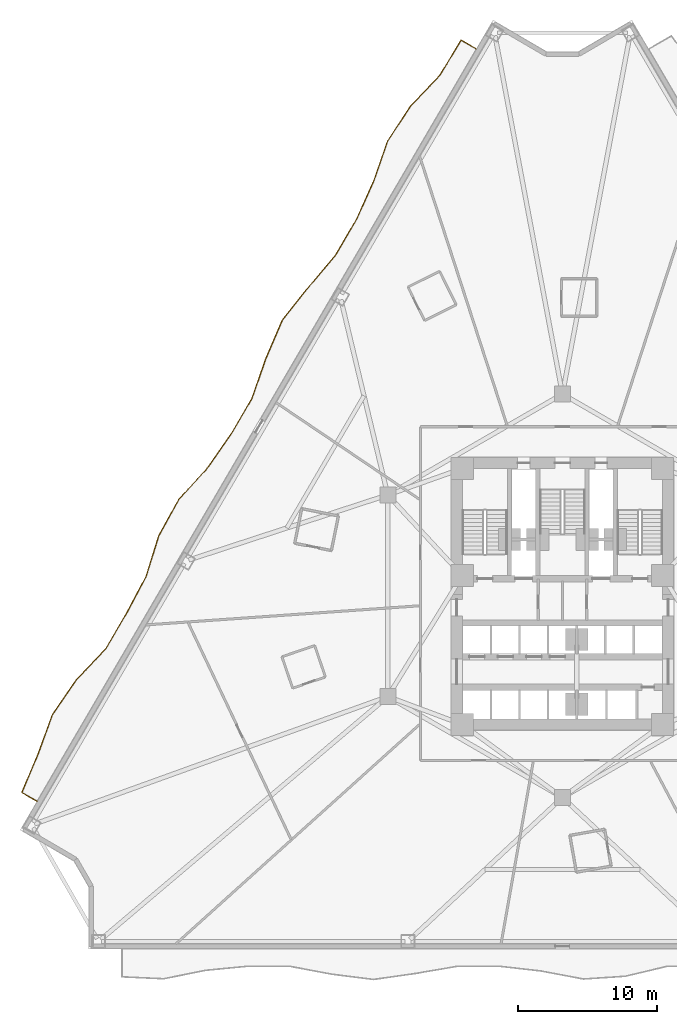
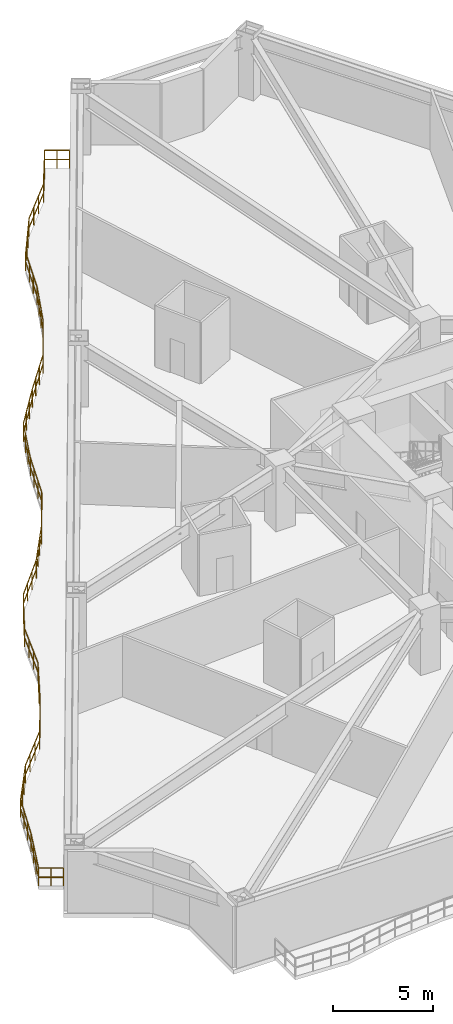
# One storey, part 10 of 12: 1 railing.
"""IFC4 building model written with IfcOpenShell, lengths in metres."""

from ifc_helpers import new_model, si_unit, direction, frame, origin, origin_2d, place, context, subcontext, project, spatial, rectangle, extrude, material, type_object, element, save


model = new_model("IFC4")

# Units and contexts
model_context = context("Model", 3, precision=1e-05, world=origin(), true_north=direction((0.0, 1.0)))
body_context = subcontext(model_context, "Body", "Model", "MODEL_VIEW")
ifc_project = project(units=[si_unit("LENGTHUNIT", "METRE"), si_unit("AREAUNIT", "SQUARE_METRE"), si_unit("VOLUMEUNIT", "CUBIC_METRE"), si_unit("PLANEANGLEUNIT", "RADIAN"), si_unit("MASSUNIT", "GRAM", prefix="KILO")], contexts=[model_context])

# Site, building, storey
site_placement = place(None, origin())
site = spatial("IfcSite", under=ifc_project, at=site_placement, CompositionType="ELEMENT")
building_placement = place(site_placement, origin())
building = spatial("IfcBuilding", under=site, at=building_placement, Name="Apsidion Concourse Tower", CompositionType="ELEMENT")
storey_placement = place(building_placement, frame((0.0, 0.0, 34.39990234375)))
storey = spatial("IfcBuildingStorey", under=building, at=storey_placement, Name="L06", CompositionType="ELEMENT", Elevation=34.39990234375)

# Railing
ifc_material = material(Name="Brushed stainless steel 316", Category="steel")
railing_type = type_object("IfcRailingType", Name="RL-BAL-1120", PredefinedType="BALUSTRADE", material=ifc_material)
railing_placement = place(storey_placement, frame((-37.789306640625, -14.772705078125, 0.0)))
element("IfcRailing", 1, at=railing_placement, inside=storey, type_object=railing_type, Name="L06 Face 1 Rippling Balcony Balustrade", PredefinedType="BALUSTRADE", context=body_context, shape_type="SweptSolid", body=[
    extrude(rectangle(XDim=0.048095703125, YDim=0.048095703125, at=origin_2d()), frame((0.0, 0.0, 1.09619140625), z_axis=(-0.863651366555, 0.504089592283, 0.0), x_axis=(-0.504089592283, -0.863651366555, 0.0)), (0.0, 0.0, 1.0), 1.25),
    extrude(rectangle(XDim=0.048095703125, YDim=0.048095703125, at=origin_2d()), frame((0.0, 0.0, 0.5361328125), z_axis=(-0.863651366555, 0.504089592283, 0.0), x_axis=(-0.504089592283, -0.863651366555, 0.0)), (0.0, 0.0, 1.0), 1.25),
    extrude(rectangle(XDim=0.048095703125, YDim=0.048095703125, at=origin_2d()), frame((-1.07958984375, 0.630126953125, 1.09619140625), z_axis=(0.38892764588, 0.921268303086, 0.0), x_axis=(-0.921268303086, 0.38892764588, 0.0)), (0.0, 0.0, 1.0), 3.008056640625),
    extrude(rectangle(XDim=0.048095703125, YDim=0.048095703125, at=origin_2d()), frame((-1.07958984375, 0.630126953125, 0.5361328125), z_axis=(0.38892764588, 0.921268303086, 0.0), x_axis=(-0.921268303086, 0.38892764588, 0.0)), (0.0, 0.0, 1.0), 3.008056640625),
    extrude(rectangle(XDim=0.048095703125, YDim=0.048095703125, at=origin_2d()), frame((0.09033203125, 3.4013671875, 1.09619140625), z_axis=(0.342202142568, 0.939626358518, 0.0), x_axis=(-0.939626358518, 0.342202142568, 0.0)), (0.0, 0.0, 1.0), 3.031494140625),
    extrude(rectangle(XDim=0.048095703125, YDim=0.048095703125, at=origin_2d()), frame((0.09033203125, 3.4013671875, 0.5361328125), z_axis=(0.342202142568, 0.939626358518, 0.0), x_axis=(-0.939626358518, 0.342202142568, 0.0)), (0.0, 0.0, 1.0), 3.031494140625),
    extrude(rectangle(XDim=0.048095703125, YDim=0.048095703125, at=origin_2d()), frame((1.127685546875, 6.249755859375, 1.09619140625), z_axis=(0.568186769596, 0.822899626234, 0.0), x_axis=(-0.822899626234, 0.568186769596, 0.0)), (0.0, 0.0, 1.0), 2.991455078125),
    extrude(rectangle(XDim=0.048095703125, YDim=0.048095703125, at=origin_2d()), frame((1.127685546875, 6.249755859375, 0.5361328125), z_axis=(0.568186769596, 0.822899626234, 0.0), x_axis=(-0.822899626234, 0.568186769596, 0.0)), (0.0, 0.0, 1.0), 2.991455078125),
    extrude(rectangle(XDim=0.048095703125, YDim=0.048095703125, at=origin_2d()), frame((2.827392578125, 8.71142578125, 1.09619140625), z_axis=(0.688338920447, 0.725389226965, 0.0), x_axis=(-0.725389226965, 0.688338920447, 0.0)), (0.0, 0.0, 1.0), 3.064208984375),
    extrude(rectangle(XDim=0.048095703125, YDim=0.048095703125, at=origin_2d()), frame((2.827392578125, 8.71142578125, 0.5361328125), z_axis=(0.688338920447, 0.725389226965, 0.0), x_axis=(-0.725389226965, 0.688338920447, 0.0)), (0.0, 0.0, 1.0), 3.064208984375),
    extrude(rectangle(XDim=0.048095703125, YDim=0.048095703125, at=origin_2d()), frame((4.9365234375, 10.93408203125, 1.09619140625), z_axis=(0.504252641195, 0.863556178745, 0.0), x_axis=(-0.863556178745, 0.504252641195, 0.0)), (0.0, 0.0, 1.0), 2.98291015625),
    extrude(rectangle(XDim=0.048095703125, YDim=0.048095703125, at=origin_2d()), frame((4.9365234375, 10.93408203125, 0.5361328125), z_axis=(0.504252641195, 0.863556178745, 0.0), x_axis=(-0.863556178745, 0.504252641195, 0.0)), (0.0, 0.0, 1.0), 2.98291015625),
    extrude(rectangle(XDim=0.048095703125, YDim=0.048095703125, at=origin_2d()), frame((6.440673828125, 13.510009765625, 1.09619140625), z_axis=(0.471161194367, 0.882047123981, 0.0), x_axis=(-0.882047123981, 0.471161194367, 0.0)), (0.0, 0.0, 1.0), 2.985107421875),
    extrude(rectangle(XDim=0.048095703125, YDim=0.048095703125, at=origin_2d()), frame((6.440673828125, 13.510009765625, 0.5361328125), z_axis=(0.471161194367, 0.882047123981, 0.0), x_axis=(-0.882047123981, 0.471161194367, 0.0)), (0.0, 0.0, 1.0), 2.985107421875),
    extrude(rectangle(XDim=0.048095703125, YDim=0.048095703125, at=origin_2d()), frame((7.84716796875, 16.14306640625, 1.09619140625), z_axis=(0.297312151822, 0.95478033305, 0.0), x_axis=(-0.95478033305, 0.297312151822, 0.0)), (0.0, 0.0, 1.0), 3.061279296875),
    extrude(rectangle(XDim=0.048095703125, YDim=0.048095703125, at=origin_2d()), frame((7.84716796875, 16.14306640625, 0.5361328125), z_axis=(0.297312151822, 0.95478033305, 0.0), x_axis=(-0.95478033305, 0.297312151822, 0.0)), (0.0, 0.0, 1.0), 3.061279296875),
    extrude(rectangle(XDim=0.048095703125, YDim=0.048095703125, at=origin_2d()), frame((8.75732421875, 19.06591796875, 1.09619140625), z_axis=(0.482116626727, 0.876107047245, 0.0), x_axis=(-0.876107047245, 0.482116626727, 0.0)), (0.0, 0.0, 1.0), 2.983642578125),
    extrude(rectangle(XDim=0.048095703125, YDim=0.048095703125, at=origin_2d()), frame((8.75732421875, 19.06591796875, 0.5361328125), z_axis=(0.482116626727, 0.876107047245, 0.0), x_axis=(-0.876107047245, 0.482116626727, 0.0)), (0.0, 0.0, 1.0), 2.983642578125),
    extrude(rectangle(XDim=0.048095703125, YDim=0.048095703125, at=origin_2d()), frame((10.19580078125, 21.679931640625, 1.09619140625), z_axis=(0.671496065071, 0.741008120465, 0.0), x_axis=(-0.741008120465, 0.671496065071, 0.0)), (0.0, 0.0, 1.0), 3.048583984375),
    extrude(rectangle(XDim=0.048095703125, YDim=0.048095703125, at=origin_2d()), frame((10.19580078125, 21.679931640625, 0.5361328125), z_axis=(0.671496065071, 0.741008120465, 0.0), x_axis=(-0.741008120465, 0.671496065071, 0.0)), (0.0, 0.0, 1.0), 3.048583984375),
    extrude(rectangle(XDim=0.048095703125, YDim=0.048095703125, at=origin_2d()), frame((12.242919921875, 23.93896484375, 1.09619140625), z_axis=(0.573938538627, 0.818898378237, 0.0), x_axis=(-0.818898378237, 0.573938538627, 0.0)), (0.0, 0.0, 1.0), 2.992919921875),
    extrude(rectangle(XDim=0.048095703125, YDim=0.048095703125, at=origin_2d()), frame((12.242919921875, 23.93896484375, 0.5361328125), z_axis=(0.573938538627, 0.818898378237, 0.0), x_axis=(-0.818898378237, 0.573938538627, 0.0)), (0.0, 0.0, 1.0), 2.992919921875),
    extrude(rectangle(XDim=0.048095703125, YDim=0.048095703125, at=origin_2d()), frame((13.960693359375, 26.389892578125, 1.09619140625), z_axis=(0.504217003444, 0.863576987557, 0.0), x_axis=(-0.863576987557, 0.504217003444, 0.0)), (0.0, 0.0, 1.0), 2.983154296875),
    extrude(rectangle(XDim=0.048095703125, YDim=0.048095703125, at=origin_2d()), frame((13.960693359375, 26.389892578125, 0.5361328125), z_axis=(0.504217003444, 0.863576987557, 0.0), x_axis=(-0.863576987557, 0.504217003444, 0.0)), (0.0, 0.0, 1.0), 2.983154296875),
    extrude(rectangle(XDim=0.048095703125, YDim=0.048095703125, at=origin_2d()), frame((15.46484375, 28.966064453125, 1.09619140625), z_axis=(0.328754263959, 0.944415498565, 0.0), x_axis=(-0.944415498565, 0.328754263959, 0.0)), (0.0, 0.0, 1.0), 3.03955078125),
    extrude(rectangle(XDim=0.048095703125, YDim=0.048095703125, at=origin_2d()), frame((15.46484375, 28.966064453125, 0.5361328125), z_axis=(0.328754263959, 0.944415498565, 0.0), x_axis=(-0.944415498565, 0.328754263959, 0.0)), (0.0, 0.0, 1.0), 3.03955078125),
    extrude(rectangle(XDim=0.048095703125, YDim=0.048095703125, at=origin_2d()), frame((16.464111328125, 31.836669921875, 1.09619140625), z_axis=(0.395732481597, 0.918365832884, 0.0), x_axis=(-0.918365832884, 0.395732481597, 0.0)), (0.0, 0.0, 1.0), 3.005126953125),
    extrude(rectangle(XDim=0.048095703125, YDim=0.048095703125, at=origin_2d()), frame((16.464111328125, 31.836669921875, 0.5361328125), z_axis=(0.395732481597, 0.918365832884, 0.0), x_axis=(-0.918365832884, 0.395732481597, 0.0)), (0.0, 0.0, 1.0), 3.005126953125),
    extrude(rectangle(XDim=0.048095703125, YDim=0.048095703125, at=origin_2d()), frame((17.6533203125, 34.596435546875, 1.09619140625), z_axis=(0.621934746753, 0.783069071527, 0.0), x_axis=(-0.783069071527, 0.621934746753, 0.0)), (0.0, 0.0, 1.0), 3.013671875),
    extrude(rectangle(XDim=0.048095703125, YDim=0.048095703125, at=origin_2d()), frame((17.6533203125, 34.596435546875, 0.5361328125), z_axis=(0.621934746753, 0.783069071527, 0.0), x_axis=(-0.783069071527, 0.621934746753, 0.0)), (0.0, 0.0, 1.0), 3.013671875),
    extrude(rectangle(XDim=0.048095703125, YDim=0.048095703125, at=origin_2d()), frame((19.527587890625, 36.956298828125, 1.09619140625), z_axis=(0.645096096312, 0.764101450413, 0.0), x_axis=(-0.764101450413, 0.645096096312, 0.0)), (0.0, 0.0, 1.0), 3.028076171875),
    extrude(rectangle(XDim=0.048095703125, YDim=0.048095703125, at=origin_2d()), frame((19.527587890625, 36.956298828125, 0.5361328125), z_axis=(0.645096096312, 0.764101450413, 0.0), x_axis=(-0.764101450413, 0.645096096312, 0.0)), (0.0, 0.0, 1.0), 3.028076171875),
    extrude(rectangle(XDim=0.048095703125, YDim=0.048095703125, at=origin_2d()), frame((21.48095703125, 39.27001953125, 1.09619140625), z_axis=(0.504191602526, 0.863591817899, 0.0), x_axis=(-0.863591817899, 0.504191602526, 0.0)), (0.0, 0.0, 1.0), 2.98291015625),
    extrude(rectangle(XDim=0.048095703125, YDim=0.048095703125, at=origin_2d()), frame((21.48095703125, 39.27001953125, 0.5361328125), z_axis=(0.504191602526, 0.863591817899, 0.0), x_axis=(-0.863591817899, 0.504191602526, 0.0)), (0.0, 0.0, 1.0), 2.98291015625),
    extrude(rectangle(XDim=0.048095703125, YDim=0.048095703125, at=origin_2d()), frame((22.98486328125, 41.845947265625, 1.09619140625), z_axis=(0.410046534717, 0.912064602628, 0.0), x_axis=(-0.912064602628, 0.410046534717, 0.0)), (0.0, 0.0, 1.0), 2.99951171875),
    extrude(rectangle(XDim=0.048095703125, YDim=0.048095703125, at=origin_2d()), frame((22.98486328125, 41.845947265625, 0.5361328125), z_axis=(0.410046534717, 0.912064602628, 0.0), x_axis=(-0.912064602628, 0.410046534717, 0.0)), (0.0, 0.0, 1.0), 2.99951171875),
    extrude(rectangle(XDim=0.048095703125, YDim=0.048095703125, at=origin_2d()), frame((24.21484375, 44.581787109375, 1.09619140625), z_axis=(0.327695179319, 0.944783504011, 0.0), x_axis=(-0.944783504011, 0.327695179319, 0.0)), (0.0, 0.0, 1.0), 3.04052734375),
    extrude(rectangle(XDim=0.048095703125, YDim=0.048095703125, at=origin_2d()), frame((24.21484375, 44.581787109375, 0.5361328125), z_axis=(0.327695179319, 0.944783504011, 0.0), x_axis=(-0.944783504011, 0.327695179319, 0.0)), (0.0, 0.0, 1.0), 3.04052734375),
    extrude(rectangle(XDim=0.048095703125, YDim=0.048095703125, at=origin_2d()), frame((25.211181640625, 47.454345703125, 1.09619140625), z_axis=(0.547454177959, 0.836835660709, 0.0), x_axis=(-0.836835660709, 0.547454177959, 0.0)), (0.0, 0.0, 1.0), 2.986572265625),
    extrude(rectangle(XDim=0.048095703125, YDim=0.048095703125, at=origin_2d()), frame((25.211181640625, 47.454345703125, 0.5361328125), z_axis=(0.547454177959, 0.836835660709, 0.0), x_axis=(-0.836835660709, 0.547454177959, 0.0)), (0.0, 0.0, 1.0), 2.986572265625),
    extrude(rectangle(XDim=0.048095703125, YDim=0.048095703125, at=origin_2d()), frame((26.84619140625, 49.95361328125, 1.09619140625), z_axis=(0.689613409338, 0.724177703096, 0.0), x_axis=(-0.724177703096, 0.689613409338, 0.0)), (0.0, 0.0, 1.0), 3.0654296875),
    extrude(rectangle(XDim=0.048095703125, YDim=0.048095703125, at=origin_2d()), frame((26.84619140625, 49.95361328125, 0.5361328125), z_axis=(0.689613409338, 0.724177703096, 0.0), x_axis=(-0.724177703096, 0.689613409338, 0.0)), (0.0, 0.0, 1.0), 3.0654296875),
    extrude(rectangle(XDim=0.048095703125, YDim=0.048095703125, at=origin_2d()), frame((28.960205078125, 52.173583984375, 1.09619140625), z_axis=(0.517837353152, 0.855479091317, 0.0), x_axis=(-0.855479091317, 0.517837353152, 0.0)), (0.0, 0.0, 1.0), 2.9833984375),
    extrude(rectangle(XDim=0.048095703125, YDim=0.048095703125, at=origin_2d()), frame((28.960205078125, 52.173583984375, 0.5361328125), z_axis=(0.517837353152, 0.855479091317, 0.0), x_axis=(-0.855479091317, 0.517837353152, 0.0)), (0.0, 0.0, 1.0), 2.9833984375),
    extrude(rectangle(XDim=0.048095703125, YDim=0.048095703125, at=origin_2d()), frame((30.505126953125, 54.725830078125, 1.09619140625), z_axis=(0.863516668547, -0.504320298165, 0.0), x_axis=(0.504320298165, 0.863516668547, 0.0)), (0.0, 0.0, 1.0), 1.25),
    extrude(rectangle(XDim=0.048095703125, YDim=0.048095703125, at=origin_2d()), frame((30.505126953125, 54.725830078125, 0.5361328125), z_axis=(0.863516668547, -0.504320298165, 0.0), x_axis=(0.504320298165, 0.863516668547, 0.0)), (0.0, 0.0, 1.0), 1.25),
    extrude(rectangle(XDim=0.0419921875, YDim=0.0419921875, at=origin_2d()), origin(), (0.0, 0.0, 1.0), 1.072021484375),
    extrude(rectangle(XDim=0.0419921875, YDim=0.0419921875, at=origin_2d()), frame((-0.539794921875, 0.31494140625, 0.0)), (0.0, 0.0, 1.0), 1.072021484375),
    extrude(rectangle(XDim=0.0419921875, YDim=0.0419921875, at=origin_2d()), frame((-1.07958984375, 0.630126953125, 0.0)), (0.0, 0.0, 1.0), 1.072021484375),
    extrude(rectangle(XDim=0.0419921875, YDim=0.0419921875, at=origin_2d()), frame((-0.689697265625, 1.553955078125, 0.0)), (0.0, 0.0, 1.0), 1.072021484375),
    extrude(rectangle(XDim=0.0419921875, YDim=0.0419921875, at=origin_2d()), frame((-0.299560546875, 2.4775390625, 0.0)), (0.0, 0.0, 1.0), 1.072021484375),
    extrude(rectangle(XDim=0.0419921875, YDim=0.0419921875, at=origin_2d()), frame((0.09033203125, 3.4013671875, 0.0)), (0.0, 0.0, 1.0), 1.072021484375),
    extrude(rectangle(XDim=0.0419921875, YDim=0.0419921875, at=origin_2d()), frame((0.43603515625, 4.350830078125, 0.0)), (0.0, 0.0, 1.0), 1.072021484375),
    extrude(rectangle(XDim=0.0419921875, YDim=0.0419921875, at=origin_2d()), frame((0.781982421875, 5.30029296875, 0.0)), (0.0, 0.0, 1.0), 1.072021484375),
    extrude(rectangle(XDim=0.0419921875, YDim=0.0419921875, at=origin_2d()), frame((1.127685546875, 6.249755859375, 0.0)), (0.0, 0.0, 1.0), 1.072021484375),
    extrude(rectangle(XDim=0.0419921875, YDim=0.0419921875, at=origin_2d()), frame((1.6943359375, 7.0703125, 0.0)), (0.0, 0.0, 1.0), 1.072021484375),
    extrude(rectangle(XDim=0.0419921875, YDim=0.0419921875, at=origin_2d()), frame((2.2607421875, 7.890869140625, 0.0)), (0.0, 0.0, 1.0), 1.072021484375),
    extrude(rectangle(XDim=0.0419921875, YDim=0.0419921875, at=origin_2d()), frame((2.827392578125, 8.71142578125, 0.0)), (0.0, 0.0, 1.0), 1.072021484375),
    extrude(rectangle(XDim=0.0419921875, YDim=0.0419921875, at=origin_2d()), frame((3.530517578125, 9.452392578125, 0.0)), (0.0, 0.0, 1.0), 1.072021484375),
    extrude(rectangle(XDim=0.0419921875, YDim=0.0419921875, at=origin_2d()), frame((4.2333984375, 10.193115234375, 0.0)), (0.0, 0.0, 1.0), 1.072021484375),
    extrude(rectangle(XDim=0.0419921875, YDim=0.0419921875, at=origin_2d()), frame((4.9365234375, 10.93408203125, 0.0)), (0.0, 0.0, 1.0), 1.072021484375),
    extrude(rectangle(XDim=0.0419921875, YDim=0.0419921875, at=origin_2d()), frame((5.43798828125, 11.792724609375, 0.0)), (0.0, 0.0, 1.0), 1.072021484375),
    extrude(rectangle(XDim=0.0419921875, YDim=0.0419921875, at=origin_2d()), frame((5.939208984375, 12.6513671875, 0.0)), (0.0, 0.0, 1.0), 1.072021484375),
    extrude(rectangle(XDim=0.0419921875, YDim=0.0419921875, at=origin_2d()), frame((6.440673828125, 13.510009765625, 0.0)), (0.0, 0.0, 1.0), 1.072021484375),
    extrude(rectangle(XDim=0.0419921875, YDim=0.0419921875, at=origin_2d()), frame((6.909423828125, 14.3876953125, 0.0)), (0.0, 0.0, 1.0), 1.072021484375),
    extrude(rectangle(XDim=0.0419921875, YDim=0.0419921875, at=origin_2d()), frame((7.37841796875, 15.265380859375, 0.0)), (0.0, 0.0, 1.0), 1.072021484375),
    extrude(rectangle(XDim=0.0419921875, YDim=0.0419921875, at=origin_2d()), frame((7.84716796875, 16.14306640625, 0.0)), (0.0, 0.0, 1.0), 1.072021484375),
    extrude(rectangle(XDim=0.0419921875, YDim=0.0419921875, at=origin_2d()), frame((8.150634765625, 17.117431640625, 0.0)), (0.0, 0.0, 1.0), 1.072021484375),
    extrude(rectangle(XDim=0.0419921875, YDim=0.0419921875, at=origin_2d()), frame((8.453857421875, 18.091552734375, 0.0)), (0.0, 0.0, 1.0), 1.072021484375),
    extrude(rectangle(XDim=0.0419921875, YDim=0.0419921875, at=origin_2d()), frame((8.75732421875, 19.06591796875, 0.0)), (0.0, 0.0, 1.0), 1.072021484375),
    extrude(rectangle(XDim=0.0419921875, YDim=0.0419921875, at=origin_2d()), frame((9.23681640625, 19.937255859375, 0.0)), (0.0, 0.0, 1.0), 1.072021484375),
    extrude(rectangle(XDim=0.0419921875, YDim=0.0419921875, at=origin_2d()), frame((9.71630859375, 20.80859375, 0.0)), (0.0, 0.0, 1.0), 1.072021484375),
    extrude(rectangle(XDim=0.0419921875, YDim=0.0419921875, at=origin_2d()), frame((10.19580078125, 21.679931640625, 0.0)), (0.0, 0.0, 1.0), 1.072021484375),
    extrude(rectangle(XDim=0.0419921875, YDim=0.0419921875, at=origin_2d()), frame((10.878173828125, 22.432861328125, 0.0)), (0.0, 0.0, 1.0), 1.072021484375),
    extrude(rectangle(XDim=0.0419921875, YDim=0.0419921875, at=origin_2d()), frame((11.560546875, 23.18603515625, 0.0)), (0.0, 0.0, 1.0), 1.072021484375),
    extrude(rectangle(XDim=0.0419921875, YDim=0.0419921875, at=origin_2d()), frame((12.242919921875, 23.93896484375, 0.0)), (0.0, 0.0, 1.0), 1.072021484375),
    extrude(rectangle(XDim=0.0419921875, YDim=0.0419921875, at=origin_2d()), frame((12.8154296875, 24.755859375, 0.0)), (0.0, 0.0, 1.0), 1.072021484375),
    extrude(rectangle(XDim=0.0419921875, YDim=0.0419921875, at=origin_2d()), frame((13.38818359375, 25.572998046875, 0.0)), (0.0, 0.0, 1.0), 1.072021484375),
    extrude(rectangle(XDim=0.0419921875, YDim=0.0419921875, at=origin_2d()), frame((13.960693359375, 26.389892578125, 0.0)), (0.0, 0.0, 1.0), 1.072021484375),
    extrude(rectangle(XDim=0.0419921875, YDim=0.0419921875, at=origin_2d()), frame((14.462158203125, 27.24853515625, 0.0)), (0.0, 0.0, 1.0), 1.072021484375),
    extrude(rectangle(XDim=0.0419921875, YDim=0.0419921875, at=origin_2d()), frame((14.96337890625, 28.107421875, 0.0)), (0.0, 0.0, 1.0), 1.072021484375),
    extrude(rectangle(XDim=0.0419921875, YDim=0.0419921875, at=origin_2d()), frame((15.46484375, 28.966064453125, 0.0)), (0.0, 0.0, 1.0), 1.072021484375),
    extrude(rectangle(XDim=0.0419921875, YDim=0.0419921875, at=origin_2d()), frame((15.7978515625, 29.9228515625, 0.0)), (0.0, 0.0, 1.0), 1.072021484375),
    extrude(rectangle(XDim=0.0419921875, YDim=0.0419921875, at=origin_2d()), frame((16.131103515625, 30.8798828125, 0.0)), (0.0, 0.0, 1.0), 1.072021484375),
    extrude(rectangle(XDim=0.0419921875, YDim=0.0419921875, at=origin_2d()), frame((16.464111328125, 31.836669921875, 0.0)), (0.0, 0.0, 1.0), 1.072021484375),
    extrude(rectangle(XDim=0.0419921875, YDim=0.0419921875, at=origin_2d()), frame((16.860595703125, 32.756591796875, 0.0)), (0.0, 0.0, 1.0), 1.072021484375),
    extrude(rectangle(XDim=0.0419921875, YDim=0.0419921875, at=origin_2d()), frame((17.2568359375, 33.676513671875, 0.0)), (0.0, 0.0, 1.0), 1.072021484375),
    extrude(rectangle(XDim=0.0419921875, YDim=0.0419921875, at=origin_2d()), frame((17.6533203125, 34.596435546875, 0.0)), (0.0, 0.0, 1.0), 1.072021484375),
    extrude(rectangle(XDim=0.0419921875, YDim=0.0419921875, at=origin_2d()), frame((18.278076171875, 35.383056640625, 0.0)), (0.0, 0.0, 1.0), 1.072021484375),
    extrude(rectangle(XDim=0.0419921875, YDim=0.0419921875, at=origin_2d()), frame((18.90283203125, 36.169677734375, 0.0)), (0.0, 0.0, 1.0), 1.072021484375),
    extrude(rectangle(XDim=0.0419921875, YDim=0.0419921875, at=origin_2d()), frame((19.527587890625, 36.956298828125, 0.0)), (0.0, 0.0, 1.0), 1.072021484375),
    extrude(rectangle(XDim=0.0419921875, YDim=0.0419921875, at=origin_2d()), frame((20.1787109375, 37.7275390625, 0.0)), (0.0, 0.0, 1.0), 1.072021484375),
    extrude(rectangle(XDim=0.0419921875, YDim=0.0419921875, at=origin_2d()), frame((20.829833984375, 38.498779296875, 0.0)), (0.0, 0.0, 1.0), 1.072021484375),
    extrude(rectangle(XDim=0.0419921875, YDim=0.0419921875, at=origin_2d()), frame((21.48095703125, 39.27001953125, 0.0)), (0.0, 0.0, 1.0), 1.072021484375),
    extrude(rectangle(XDim=0.0419921875, YDim=0.0419921875, at=origin_2d()), frame((21.982177734375, 40.128662109375, 0.0)), (0.0, 0.0, 1.0), 1.072021484375),
    extrude(rectangle(XDim=0.0419921875, YDim=0.0419921875, at=origin_2d()), frame((22.483642578125, 40.9873046875, 0.0)), (0.0, 0.0, 1.0), 1.072021484375),
    extrude(rectangle(XDim=0.0419921875, YDim=0.0419921875, at=origin_2d()), frame((22.98486328125, 41.845947265625, 0.0)), (0.0, 0.0, 1.0), 1.072021484375),
    extrude(rectangle(XDim=0.0419921875, YDim=0.0419921875, at=origin_2d()), frame((23.394775390625, 42.7578125, 0.0)), (0.0, 0.0, 1.0), 1.072021484375),
    extrude(rectangle(XDim=0.0419921875, YDim=0.0419921875, at=origin_2d()), frame((23.804931640625, 43.669921875, 0.0)), (0.0, 0.0, 1.0), 1.072021484375),
    extrude(rectangle(XDim=0.0419921875, YDim=0.0419921875, at=origin_2d()), frame((24.21484375, 44.581787109375, 0.0)), (0.0, 0.0, 1.0), 1.072021484375),
    extrude(rectangle(XDim=0.0419921875, YDim=0.0419921875, at=origin_2d()), frame((24.546875, 45.539306640625, 0.0)), (0.0, 0.0, 1.0), 1.072021484375),
    extrude(rectangle(XDim=0.0419921875, YDim=0.0419921875, at=origin_2d()), frame((24.879150390625, 46.496826171875, 0.0)), (0.0, 0.0, 1.0), 1.072021484375),
    extrude(rectangle(XDim=0.0419921875, YDim=0.0419921875, at=origin_2d()), frame((25.211181640625, 47.454345703125, 0.0)), (0.0, 0.0, 1.0), 1.072021484375),
    extrude(rectangle(XDim=0.0419921875, YDim=0.0419921875, at=origin_2d()), frame((25.756103515625, 48.287353515625, 0.0)), (0.0, 0.0, 1.0), 1.072021484375),
    extrude(rectangle(XDim=0.0419921875, YDim=0.0419921875, at=origin_2d()), frame((26.30126953125, 49.12060546875, 0.0)), (0.0, 0.0, 1.0), 1.072021484375),
    extrude(rectangle(XDim=0.0419921875, YDim=0.0419921875, at=origin_2d()), frame((26.84619140625, 49.95361328125, 0.0)), (0.0, 0.0, 1.0), 1.072021484375),
    extrude(rectangle(XDim=0.0419921875, YDim=0.0419921875, at=origin_2d()), frame((27.55078125, 50.693603515625, 0.0)), (0.0, 0.0, 1.0), 1.072021484375),
    extrude(rectangle(XDim=0.0419921875, YDim=0.0419921875, at=origin_2d()), frame((28.255615234375, 51.43359375, 0.0)), (0.0, 0.0, 1.0), 1.072021484375),
    extrude(rectangle(XDim=0.0419921875, YDim=0.0419921875, at=origin_2d()), frame((28.960205078125, 52.173583984375, 0.0)), (0.0, 0.0, 1.0), 1.072021484375),
    extrude(rectangle(XDim=0.0419921875, YDim=0.0419921875, at=origin_2d()), frame((29.47509765625, 53.0244140625, 0.0)), (0.0, 0.0, 1.0), 1.072021484375),
    extrude(rectangle(XDim=0.0419921875, YDim=0.0419921875, at=origin_2d()), frame((29.990234375, 53.875, 0.0)), (0.0, 0.0, 1.0), 1.072021484375),
    extrude(rectangle(XDim=0.0419921875, YDim=0.0419921875, at=origin_2d()), frame((30.505126953125, 54.725830078125, 0.0)), (0.0, 0.0, 1.0), 1.072021484375),
    extrude(rectangle(XDim=0.0419921875, YDim=0.0419921875, at=origin_2d()), frame((31.044921875, 54.41064453125, 0.0)), (0.0, 0.0, 1.0), 1.072021484375),
    extrude(rectangle(XDim=0.0419921875, YDim=0.0419921875, at=origin_2d()), frame((31.58447265625, 54.095458984375, 0.0)), (0.0, 0.0, 1.0), 1.072021484375),
])

save(model, "model.ifc")
